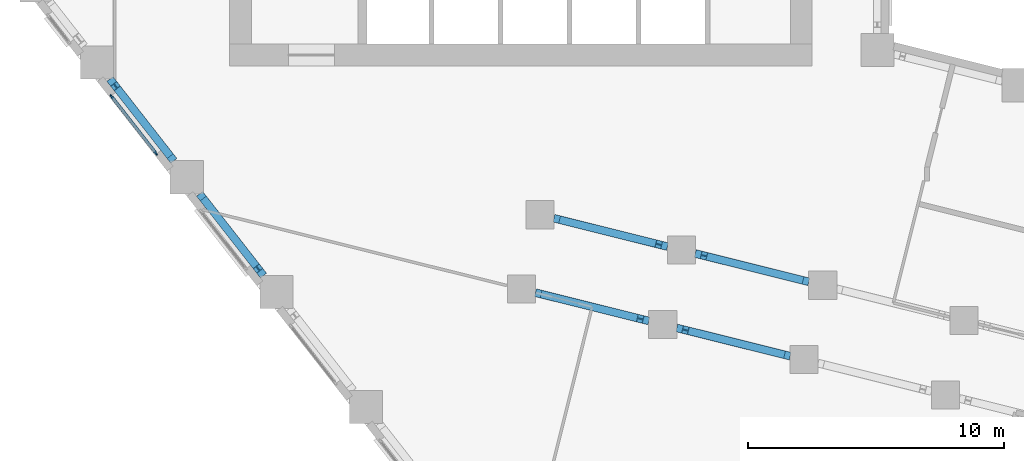
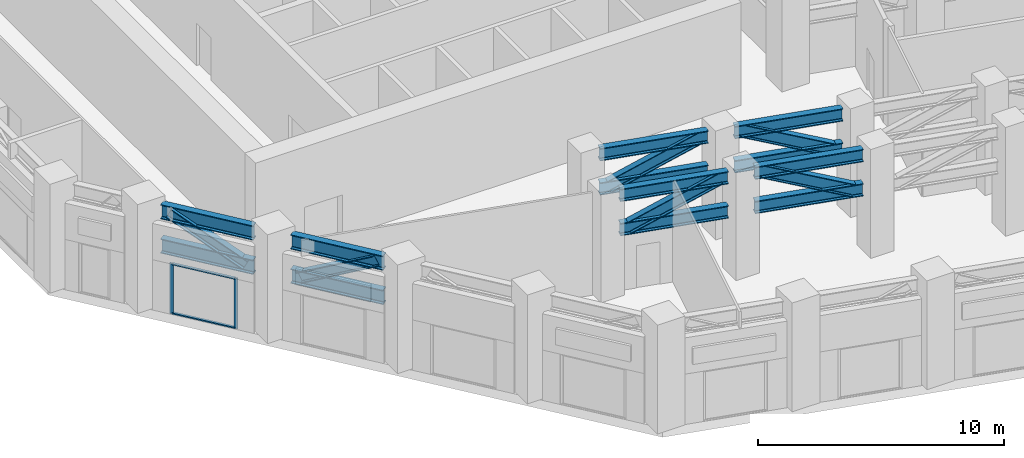
# One storey, part 3 of 21: 12 beams, 10 members, 1 element without a shape of its own.
"""IFC4 building model written with IfcOpenShell, lengths in metres."""

from ifc_helpers import new_model, si_unit, direction, frame, origin, origin_2d, place, context, subcontext, project, spatial, rectangle, i_section, extrude, material, material_profile, profile_set, type_object, element, aggregate, save


model = new_model("IFC4")

# Units and contexts
model_context = context("Model", 3, precision=1e-05, world=origin(), true_north=direction((0.0, 1.0)))
body_context = subcontext(model_context, "Body", "Model", "MODEL_VIEW")
ifc_project = project(units=[si_unit("LENGTHUNIT", "METRE"), si_unit("AREAUNIT", "SQUARE_METRE"), si_unit("VOLUMEUNIT", "CUBIC_METRE"), si_unit("PLANEANGLEUNIT", "RADIAN"), si_unit("MASSUNIT", "GRAM", prefix="KILO")], contexts=[model_context])

# Site, building, storey
site_placement = place(None, origin())
site = spatial("IfcSite", under=ifc_project, at=site_placement, CompositionType="ELEMENT")
building_placement = place(site_placement, origin())
building = spatial("IfcBuilding", under=site, at=building_placement, Name="Meshkara Civic Tower", CompositionType="ELEMENT")
storey_placement = place(building_placement, frame((0.0, 0.0, 156.0)))
storey = spatial("IfcBuildingStorey", under=building, at=storey_placement, Name="L35", CompositionType="ELEMENT", Elevation=156.0)

# Beams
ifc_material_1 = material(Name="Steel S355", Category="steel")
ifc_material_profile_1 = material_profile(ifc_material_1, i_section(OverallWidth=0.303955078125, OverallDepth=0.716064453125, WebThickness=0.02099609375, FlangeThickness=0.0400390625, FilletRadius=0.027099609375, at=origin_2d()))
ifc_profile_set_1 = profile_set([ifc_material_profile_1], Name="Steel S355")
beam_type_1 = type_object("IfcBeamType", Name="Belt truss chord HEM 700 S355", PredefinedType="BEAM", material=ifc_profile_set_1)
for number, where, z_axis, x_axis, name in (
    (1, (3.318603515625, 13.5830078125, 4.741943359375), (0.615612539127, -0.788048984309, 0.0), (0.788048984309, 0.615612539127, 0.0), "Belt truss chord BBOW04-BOW03"),
    (2, (3.318603515625, 13.5830078125, 3.0419921875), (0.615612539127, -0.788048984309, 0.0), (0.788048984309, 0.615612539127, 0.0), "Belt truss chord BBOW04-BOW03"),
):
    element("IfcBeam", number, at=place(storey_placement, frame(where, z_axis=z_axis, x_axis=x_axis)), inside=storey, type_object=beam_type_1, Name=name, PredefinedType="BEAM", context=body_context, shape_type="SweptSolid", body=[
        extrude(i_section(OverallWidth=0.303955078125, OverallDepth=0.716064453125, WebThickness=0.02099609375, FlangeThickness=0.0400390625, FilletRadius=0.027099609375, at=origin_2d()), origin(), (0.0, 0.0, 1.0), 4.060546875),
    ])
for number, where, z_axis, x_axis, name in (
    (3, (6.827880859375, 9.0908203125, 4.741943359375), (0.615716376188, -0.787967857272, 0.0), (0.787967857272, 0.615716376188, 0.0), "Belt truss chord BBOW03-BOW02"),
    (4, (6.827880859375, 9.0908203125, 3.0419921875), (0.615716376188, -0.787967857272, 0.0), (0.787967857272, 0.615716376188, 0.0), "Belt truss chord BBOW03-BOW02"),
):
    element("IfcBeam", number, at=place(storey_placement, frame(where, z_axis=z_axis, x_axis=x_axis)), inside=storey, type_object=beam_type_1, Name=name, PredefinedType="BEAM", context=body_context, shape_type="SweptSolid", body=[
        extrude(i_section(OverallWidth=0.303955078125, OverallDepth=0.716064453125, WebThickness=0.02099609375, FlangeThickness=0.0400390625, FilletRadius=0.027099609375, at=origin_2d()), origin(), (0.0, 0.0, 1.0), 4.060791015625),
    ])

# Curtain wall, members
ifc_material_2 = material(Name="Tinted double glazing", Category="glass")
curtain_wall_type = type_object("IfcCurtainWallType", Name="CW SKY LOBBY BAND", PredefinedType="NOTDEFINED", material=ifc_material_2)
curtain_wall_placement = place(storey_placement, origin())
curtain_wall = element("IfcCurtainWall", 5, at=curtain_wall_placement, inside=storey, type_object=curtain_wall_type, Name="Curtain wall CW2", PredefinedType="NOTDEFINED")
ifc_material_3 = material(Name="Bronze anodised aluminium", Category="aluminium")
ifc_material_profile_2 = material_profile(ifc_material_3, rectangle(XDim=0.06005859375, YDim=0.159912109375, at=origin_2d()))
ifc_profile_set_2 = profile_set([ifc_material_profile_2], Name="Bronze anodised aluminium")
member_type_1 = type_object("IfcMemberType", Name="CW MULLION 60x160", PredefinedType="MULLION", material=ifc_profile_set_2)
member_1_placement = place(storey_placement, frame((3.382568359375, 12.9013671875, 0.0), z_axis=(0.0, 0.0, 1.0), x_axis=(0.788118943089, 0.615522974018, 0.0)))
member_1 = element("IfcMember", 6, at=member_1_placement, type_object=member_type_1, Name="CW2 mullion 1", PredefinedType="MULLION", context=body_context, shape_type="SweptSolid", body=[
    extrude(rectangle(XDim=0.06005859375, YDim=0.159912109375, at=origin_2d()), origin(), (0.0, 0.0, 1.0), 2.5),
])
member_2_placement = place(storey_placement, frame((5.12158203125, 10.674560546875, 0.0), z_axis=(0.0, 0.0, 1.0), x_axis=(0.788118943089, 0.615522974018, 0.0)))
member_2 = element("IfcMember", 7, at=member_2_placement, type_object=member_type_1, Name="CW2 mullion 2", PredefinedType="MULLION", context=body_context, shape_type="SweptSolid", body=[
    extrude(rectangle(XDim=0.06005859375, YDim=0.159912109375, at=origin_2d()), origin(), (0.0, 0.0, 1.0), 2.5),
])
ifc_material_4 = material(Name="Bronze anodised aluminium", Category="aluminium")
ifc_material_profile_3 = material_profile(ifc_material_4, rectangle(XDim=0.1201171875, YDim=0.06005859375, at=origin_2d()))
ifc_profile_set_3 = profile_set([ifc_material_profile_3], Name="Bronze anodised aluminium")
member_type_2 = type_object("IfcMemberType", Name="CW TRANSOM 60x120", PredefinedType="USERDEFINED", material=ifc_profile_set_3)
member_3_placement = place(storey_placement, frame((3.40087890625, 12.877685546875, 0.030029296875), z_axis=(0.615522395271, -0.788119395092, 0.0), x_axis=(0.788119395092, 0.615522395271, 0.0)))
member_3 = element("IfcMember", 8, at=member_3_placement, type_object=member_type_2, Name="CW2 transom 1.1", ObjectType="TRANSOM", PredefinedType="USERDEFINED", context=body_context, shape_type="SweptSolid", body=[
    extrude(rectangle(XDim=0.1201171875, YDim=0.06005859375, at=origin_2d()), origin(), (0.0, 0.0, 1.0), 2.765380859375),
])
member_4_placement = place(storey_placement, frame((3.40087890625, 12.877685546875, 2.469970703125), z_axis=(0.615522395271, -0.788119395092, 0.0), x_axis=(0.788119395092, 0.615522395271, 0.0)))
member_4 = element("IfcMember", 9, at=member_4_placement, type_object=member_type_2, Name="CW2 transom 1.2", ObjectType="TRANSOM", PredefinedType="USERDEFINED", context=body_context, shape_type="SweptSolid", body=[
    extrude(rectangle(XDim=0.1201171875, YDim=0.06005859375, at=origin_2d()), origin(), (0.0, 0.0, 1.0), 2.765380859375),
])
aggregate(curtain_wall, [member_1, member_2, member_3, member_4])

# Beams
ifc_material_5 = material(Name="Steel S355", Category="steel")
ifc_material_profile_4 = material_profile(ifc_material_5, i_section(OverallWidth=0.304931640625, OverallDepth=0.6201171875, WebThickness=0.02099609375, FlangeThickness=0.0400390625, FilletRadius=0.027099609375, at=origin_2d()))
ifc_profile_set_4 = profile_set([ifc_material_profile_4], Name="Steel S355")
beam_type_2 = type_object("IfcBeamType", Name="Outrigger chord HEM 600 S355", PredefinedType="BEAM", material=ifc_profile_set_4)
for number, where, z_axis, x_axis, name in (
    (10, (19.968994140625, 5.22412109375, 4.7900390625), (0.970286696562, -0.241958108925, 0.0), (0.241958108925, 0.970286696562, 0.0), "Outrigger chord OSB1-SB1-00-SB1-01"),
    (11, (19.968994140625, 5.22412109375, 3.090087890625), (0.970286696562, -0.241958108925, 0.0), (0.241958108925, 0.970286696562, 0.0), "Outrigger chord OSB1-SB1-00-SB1-01"),
):
    element("IfcBeam", number, at=place(storey_placement, frame(where, z_axis=z_axis, x_axis=x_axis)), inside=storey, type_object=beam_type_2, Name=name, PredefinedType="BEAM", context=body_context, shape_type="SweptSolid", body=[
        extrude(i_section(OverallWidth=0.304931640625, OverallDepth=0.6201171875, WebThickness=0.02099609375, FlangeThickness=0.0400390625, FilletRadius=0.027099609375, at=origin_2d()), origin(), (0.0, 0.0, 1.0), 4.575927734375),
    ])
for number, where, z_axis, x_axis, name in (
    (12, (25.4990234375, 3.84521484375, 4.7900390625), (0.970286664886, -0.24195823595, 0.0), (0.24195823595, 0.970286664886, 0.0), "Outrigger chord OSB1-SB1-01-SB1-02"),
    (13, (25.4990234375, 3.84521484375, 3.090087890625), (0.970286664886, -0.24195823595, 0.0), (0.24195823595, 0.970286664886, 0.0), "Outrigger chord OSB1-SB1-01-SB1-02"),
    (14, (20.694091796875, 8.135009765625, 4.7900390625), (0.970299186733, -0.241908016044, 0.0), (0.241908016044, 0.970299186733, 0.0), "Outrigger chord OSB2-SB2-00-SB2-01"),
    (15, (20.694091796875, 8.135009765625, 3.090087890625), (0.970299186733, -0.241908016044, 0.0), (0.241908016044, 0.970299186733, 0.0), "Outrigger chord OSB2-SB2-00-SB2-01"),
    (16, (26.22509765625, 6.756103515625, 4.7900390625), (0.970299186733, -0.241908016044, 0.0), (0.241908016044, 0.970299186733, 0.0), "Outrigger chord OSB2-SB2-01-SB2-02"),
    (17, (26.22509765625, 6.756103515625, 3.090087890625), (0.970299186733, -0.241908016044, 0.0), (0.241908016044, 0.970299186733, 0.0), "Outrigger chord OSB2-SB2-01-SB2-02"),
):
    element("IfcBeam", number, at=place(storey_placement, frame(where, z_axis=z_axis, x_axis=x_axis)), inside=storey, type_object=beam_type_2, Name=name, PredefinedType="BEAM", context=body_context, shape_type="SweptSolid", body=[
        extrude(i_section(OverallWidth=0.304931640625, OverallDepth=0.6201171875, WebThickness=0.02099609375, FlangeThickness=0.0400390625, FilletRadius=0.027099609375, at=origin_2d()), origin(), (0.0, 0.0, 1.0), 4.576904296875),
    ])

# Members
ifc_material_6 = material(Name="Steel S355", Category="steel")
ifc_material_profile_5 = material_profile(ifc_material_6, i_section(OverallWidth=0.300048828125, OverallDepth=0.60009765625, WebThickness=0.015380859375, FlangeThickness=0.030029296875, FilletRadius=0.027099609375, at=origin_2d()))
ifc_profile_set_5 = profile_set([ifc_material_profile_5], Name="Steel S355")
member_type_3 = type_object("IfcMemberType", Name="Truss diagonal HEB 600 S355", PredefinedType="BRACE", material=ifc_profile_set_5)
member_5_placement = place(storey_placement, frame((20.30859375, 5.139404296875, 3.090087890625), z_axis=(0.888580783015, -0.221568345077, 0.401661126469), x_axis=(0.241942737233, 0.970290529636, 0.0)))
element("IfcMember", 18, at=member_5_placement, inside=storey, type_object=member_type_3, Name="TD-OSB1-SB1-00-SB1-01-L35", PredefinedType="BRACE", context=body_context, shape_type="SweptSolid", body=[
    extrude(i_section(OverallWidth=0.300048828125, OverallDepth=0.60009765625, WebThickness=0.015380859375, FlangeThickness=0.030029296875, FilletRadius=0.027099609375, at=origin_2d()), origin(), (0.0, 0.0, 1.0), 4.232421875),
])
for number, where, z_axis, x_axis, name in (
    (19, (25.8388671875, 3.760498046875, 4.7900390625), (0.888593699592, -0.221600479932, -0.401614820866), (0.241972461201, 0.970283117456, 0.0), "TD-OSB1-SB1-01-SB1-02-L35"),
    (20, (21.03369140625, 8.05029296875, 3.090087890625), (0.888617189618, -0.221534278271, 0.401599369852), (0.241898383847, 0.970301588112, 0.0), "TD-OSB2-SB2-00-SB2-01-L35"),
    (21, (26.564697265625, 6.67138671875, 4.7900390625), (0.888617189618, -0.221534278271, -0.401599369852), (0.241898383847, 0.970301588112, 0.0), "TD-OSB2-SB2-01-SB2-02-L35"),
):
    element("IfcMember", number, at=place(storey_placement, frame(where, z_axis=z_axis, x_axis=x_axis)), inside=storey, type_object=member_type_3, Name=name, PredefinedType="BRACE", context=body_context, shape_type="SweptSolid", body=[
        extrude(i_section(OverallWidth=0.300048828125, OverallDepth=0.60009765625, WebThickness=0.015380859375, FlangeThickness=0.030029296875, FilletRadius=0.027099609375, at=origin_2d()), origin(), (0.0, 0.0, 1.0), 4.23291015625),
    ])
ifc_material_7 = material(Name="Steel S355", Category="steel")
ifc_material_profile_6 = material_profile(ifc_material_7, i_section(OverallWidth=0.305908203125, OverallDepth=0.52392578125, WebThickness=0.02392578125, FlangeThickness=0.0400390625, FilletRadius=0.027099609375, at=origin_2d()))
ifc_profile_set_6 = profile_set([ifc_material_profile_6], Name="Steel S355")
member_type_4 = type_object("IfcMemberType", Name="Truss diagonal HEM 500 S355", PredefinedType="BRACE", material=ifc_profile_set_6)
member_6_placement = place(storey_placement, frame((3.5341796875, 13.30712890625, 4.741943359375), z_axis=(0.549300906972, -0.703206295046, -0.451408263336), x_axis=(0.788067329172, 0.615589055045, 0.0)))
element("IfcMember", 22, at=member_6_placement, inside=storey, type_object=member_type_4, Name="TD-BBOW04-BOW03-L35", PredefinedType="BRACE", context=body_context, shape_type="SweptSolid", body=[
    extrude(i_section(OverallWidth=0.305908203125, OverallDepth=0.52392578125, WebThickness=0.02392578125, FlangeThickness=0.0400390625, FilletRadius=0.027099609375, at=origin_2d()), origin(), (0.0, 0.0, 1.0), 3.765869140625),
])
member_7_placement = place(storey_placement, frame((7.043212890625, 8.815185546875, 3.0419921875), z_axis=(0.549481942063, -0.703106125463, 0.451343961612), x_axis=(0.787926350363, 0.61576949129, 0.0)))
element("IfcMember", 23, at=member_7_placement, inside=storey, type_object=member_type_4, Name="TD-BBOW03-BOW02-L35", PredefinedType="BRACE", context=body_context, shape_type="SweptSolid", body=[
    extrude(i_section(OverallWidth=0.305908203125, OverallDepth=0.52392578125, WebThickness=0.02392578125, FlangeThickness=0.0400390625, FilletRadius=0.027099609375, at=origin_2d()), origin(), (0.0, 0.0, 1.0), 3.766357421875),
])

save(model, "model.ifc")
